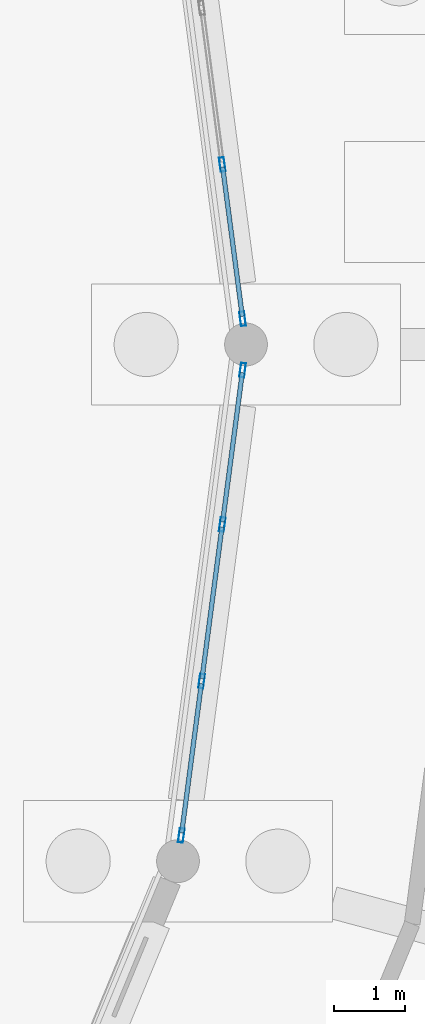
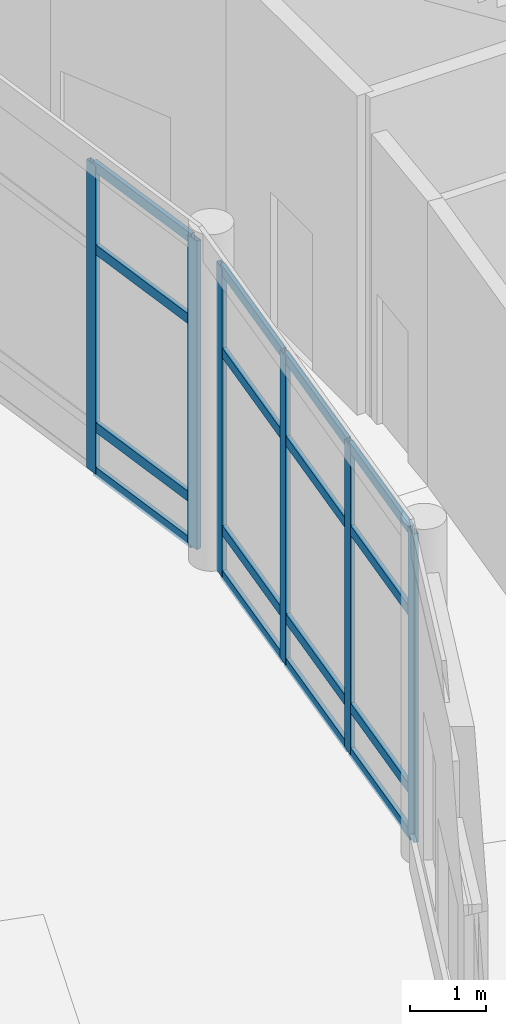
# One storey, part 74 of 137: 22 members, 2 elements without a shape of their own.
"""IFC4 building model written with IfcOpenShell, lengths in metres."""

from ifc_helpers import new_model, si_unit, direction, frame, origin, origin_2d, place, context, subcontext, project, spatial, hollow_rectangle, extrude, material, material_profile, profile_set, type_object, element, aggregate, save


model = new_model("IFC4")

# Units and contexts
model_context = context("Model", 3, precision=1e-05, world=origin(), true_north=direction((0.0, 1.0)))
body_context = subcontext(model_context, "Body", "Model", "MODEL_VIEW")
ifc_project = project(units=[si_unit("LENGTHUNIT", "METRE"), si_unit("AREAUNIT", "SQUARE_METRE"), si_unit("VOLUMEUNIT", "CUBIC_METRE"), si_unit("PLANEANGLEUNIT", "RADIAN"), si_unit("MASSUNIT", "GRAM", prefix="KILO")], contexts=[model_context])

# Site, building, storey
site_placement = place(None, origin())
site = spatial("IfcSite", under=ifc_project, at=site_placement, CompositionType="ELEMENT")
building_placement = place(site_placement, origin())
building = spatial("IfcBuilding", under=site, at=building_placement, Name="Vondelvale Polytechnic", CompositionType="ELEMENT")
storey_placement = place(building_placement, origin())
storey = spatial("IfcBuildingStorey", under=building, at=storey_placement, Name="L00", CompositionType="ELEMENT", Elevation=0.0)

# Curtain wall, members
ifc_material = material(Name="Anodised extruded aluminium 6063-T6", Category="aluminium")
curtain_wall_type = type_object("IfcCurtainWallType", Name="CW-RING-CLOISTER", PredefinedType="NOTDEFINED", material=ifc_material)
curtain_wall_1_placement = place(storey_placement, origin())
curtain_wall_1 = element("IfcCurtainWall", 1, at=curtain_wall_1_placement, inside=storey, type_object=curtain_wall_type, Name="L00 architectural curtain wall CW-03-071", PredefinedType="NOTDEFINED")
ifc_material_profile_1 = material_profile(ifc_material, hollow_rectangle(XDim=0.070068359375, YDim=0.199951171875, WallThickness=0.00390625, at=origin_2d()), Name="CW-MUL-200x70")
ifc_profile_set_1 = profile_set([ifc_material_profile_1], Name="Anodised extruded aluminium 6063-T6")
member_type_1 = type_object("IfcMemberType", Name="CW-MUL-70x200", PredefinedType="MULLION", material=ifc_profile_set_1)
member_1_placement = place(storey_placement, frame((129.95263671875, 72.360595703125, 0.0), z_axis=(0.0, 0.0, 1.0), x_axis=(-0.99144462243, -0.130528007165, 0.0)))
member_1 = element("IfcMember", 2, at=member_1_placement, type_object=member_type_1, Name="CW-03-071 mullion 1", PredefinedType="MULLION", context=body_context, shape_type="SweptSolid", body=[
    extrude(hollow_rectangle(XDim=0.070068359375, YDim=0.199951171875, WallThickness=0.00390625, at=origin_2d()), origin(), (0.0, 0.0, 1.0), 4.949951171875),
])
member_2_placement = place(storey_placement, frame((129.667724609375, 74.524169921875, 0.0), z_axis=(0.0, 0.0, 1.0), x_axis=(-0.99144462243, -0.130528007165, 0.0)))
member_2 = element("IfcMember", 3, at=member_2_placement, type_object=member_type_1, Name="CW-03-071 mullion 2", PredefinedType="MULLION", context=body_context, shape_type="SweptSolid", body=[
    extrude(hollow_rectangle(XDim=0.070068359375, YDim=0.199951171875, WallThickness=0.00390625, at=origin_2d()), origin(), (0.0, 0.0, 1.0), 4.949951171875),
])

curtain_wall_2_placement = place(storey_placement, origin())
curtain_wall_2 = element("IfcCurtainWall", 4, at=curtain_wall_2_placement, inside=storey, type_object=curtain_wall_type, Name="L00 architectural curtain wall CW-03-370", PredefinedType="NOTDEFINED")
member_3_placement = place(storey_placement, frame((129.09326171875, 65.113525390625, 0.0), z_axis=(0.0, 0.0, 1.0), x_axis=(-0.99144462243, 0.130528007165, 0.0)))
member_3 = element("IfcMember", 5, at=member_3_placement, type_object=member_type_1, Name="CW-03-370 mullion 1", PredefinedType="MULLION", context=body_context, shape_type="SweptSolid", body=[
    extrude(hollow_rectangle(XDim=0.070068359375, YDim=0.199951171875, WallThickness=0.00390625, at=origin_2d()), origin(), (0.0, 0.0, 1.0), 4.949951171875),
])
member_4_placement = place(storey_placement, frame((129.378173828125, 67.27734375, 0.0), z_axis=(0.0, 0.0, 1.0), x_axis=(-0.99144462243, 0.130528007165, 0.0)))
member_4 = element("IfcMember", 6, at=member_4_placement, type_object=member_type_1, Name="CW-03-370 mullion 2", PredefinedType="MULLION", context=body_context, shape_type="SweptSolid", body=[
    extrude(hollow_rectangle(XDim=0.070068359375, YDim=0.199951171875, WallThickness=0.00390625, at=origin_2d()), origin(), (0.0, 0.0, 1.0), 4.949951171875),
])
member_5_placement = place(storey_placement, frame((129.667724609375, 69.475830078125, 0.0), z_axis=(0.0, 0.0, 1.0), x_axis=(-0.99144462243, 0.130528007165, 0.0)))
member_5 = element("IfcMember", 7, at=member_5_placement, type_object=member_type_1, Name="CW-03-370 mullion 3", PredefinedType="MULLION", context=body_context, shape_type="SweptSolid", body=[
    extrude(hollow_rectangle(XDim=0.070068359375, YDim=0.199951171875, WallThickness=0.00390625, at=origin_2d()), origin(), (0.0, 0.0, 1.0), 4.949951171875),
])
member_6_placement = place(storey_placement, frame((129.95263671875, 71.639404296875, 0.0), z_axis=(0.0, 0.0, 1.0), x_axis=(-0.99144462243, 0.130528007165, 0.0)))
member_6 = element("IfcMember", 8, at=member_6_placement, type_object=member_type_1, Name="CW-03-370 mullion 4", PredefinedType="MULLION", context=body_context, shape_type="SweptSolid", body=[
    extrude(hollow_rectangle(XDim=0.070068359375, YDim=0.199951171875, WallThickness=0.00390625, at=origin_2d()), origin(), (0.0, 0.0, 1.0), 4.949951171875),
])

# Member
ifc_material_profile_2 = material_profile(ifc_material, hollow_rectangle(XDim=0.06494140625, YDim=0.159912109375, WallThickness=0.00341796875, at=origin_2d()), Name="CW-TRN-160x65")
ifc_profile_set_2 = profile_set([ifc_material_profile_2], Name="Anodised extruded aluminium 6063-T6")
member_type_2 = type_object("IfcMemberType", Name="CW-TRN-70x160", PredefinedType="USERDEFINED", material=ifc_profile_set_2)
member_7_placement = place(storey_placement, frame((129.947998046875, 72.395263671875, 0.032470703125), z_axis=(-0.130604000296, 0.99143461464, 0.0), x_axis=(-0.99143461464, -0.130604000296, 0.0)))
member_7 = element("IfcMember", 9, at=member_7_placement, type_object=member_type_2, Name="CW-03-071 transom 1.1", ObjectType="TRANSOM", PredefinedType="USERDEFINED", context=body_context, shape_type="SweptSolid", body=[
    extrude(hollow_rectangle(XDim=0.06494140625, YDim=0.159912109375, WallThickness=0.00341796875, at=origin_2d()), origin(), (0.0, 0.0, 1.0), 2.1123046875),
])

member_8_placement = place(storey_placement, frame((129.947998046875, 72.395263671875, 0.75), z_axis=(-0.130604000296, 0.99143461464, 0.0), x_axis=(-0.99143461464, -0.130604000296, 0.0)))
member_8 = element("IfcMember", 10, at=member_8_placement, type_object=member_type_2, Name="CW-03-071 transom 1.2", ObjectType="TRANSOM", PredefinedType="USERDEFINED", context=body_context, shape_type="SweptSolid", body=[
    extrude(hollow_rectangle(XDim=0.06494140625, YDim=0.159912109375, WallThickness=0.00341796875, at=origin_2d()), origin(), (0.0, 0.0, 1.0), 2.1123046875),
])

member_9_placement = place(storey_placement, frame((129.947998046875, 72.395263671875, 3.60009765625), z_axis=(-0.130604000296, 0.99143461464, 0.0), x_axis=(-0.99143461464, -0.130604000296, 0.0)))
member_9 = element("IfcMember", 11, at=member_9_placement, type_object=member_type_2, Name="CW-03-071 transom 1.3", ObjectType="TRANSOM", PredefinedType="USERDEFINED", context=body_context, shape_type="SweptSolid", body=[
    extrude(hollow_rectangle(XDim=0.06494140625, YDim=0.159912109375, WallThickness=0.00341796875, at=origin_2d()), origin(), (0.0, 0.0, 1.0), 2.1123046875),
])

member_10_placement = place(storey_placement, frame((129.947998046875, 72.395263671875, 4.91748046875), z_axis=(-0.130604000296, 0.99143461464, 0.0), x_axis=(-0.99143461464, -0.130604000296, 0.0)))
member_10 = element("IfcMember", 12, at=member_10_placement, type_object=member_type_2, Name="CW-03-071 transom 1.4", ObjectType="TRANSOM", PredefinedType="USERDEFINED", context=body_context, shape_type="SweptSolid", body=[
    extrude(hollow_rectangle(XDim=0.06494140625, YDim=0.159912109375, WallThickness=0.00341796875, at=origin_2d()), origin(), (0.0, 0.0, 1.0), 2.1123046875),
])

aggregate(curtain_wall_1, [member_1, member_2, member_7, member_8, member_9, member_10])

member_11_placement = place(storey_placement, frame((129.097900390625, 65.148193359375, 0.032470703125), z_axis=(0.130589036243, 0.991436585775, 0.0), x_axis=(-0.991436585775, 0.130589036243, 0.0)))
member_11 = element("IfcMember", 13, at=member_11_placement, type_object=member_type_2, Name="CW-03-370 transom 1.1", ObjectType="TRANSOM", PredefinedType="USERDEFINED", context=body_context, shape_type="SweptSolid", body=[
    extrude(hollow_rectangle(XDim=0.06494140625, YDim=0.159912109375, WallThickness=0.00341796875, at=origin_2d()), origin(), (0.0, 0.0, 1.0), 2.112548828125),
])

member_12_placement = place(storey_placement, frame((129.097900390625, 65.148193359375, 0.75), z_axis=(0.130589036243, 0.991436585775, 0.0), x_axis=(-0.991436585775, 0.130589036243, 0.0)))
member_12 = element("IfcMember", 14, at=member_12_placement, type_object=member_type_2, Name="CW-03-370 transom 1.2", ObjectType="TRANSOM", PredefinedType="USERDEFINED", context=body_context, shape_type="SweptSolid", body=[
    extrude(hollow_rectangle(XDim=0.06494140625, YDim=0.159912109375, WallThickness=0.00341796875, at=origin_2d()), origin(), (0.0, 0.0, 1.0), 2.112548828125),
])

member_13_placement = place(storey_placement, frame((129.097900390625, 65.148193359375, 3.60009765625), z_axis=(0.130589036243, 0.991436585775, 0.0), x_axis=(-0.991436585775, 0.130589036243, 0.0)))
member_13 = element("IfcMember", 15, at=member_13_placement, type_object=member_type_2, Name="CW-03-370 transom 1.3", ObjectType="TRANSOM", PredefinedType="USERDEFINED", context=body_context, shape_type="SweptSolid", body=[
    extrude(hollow_rectangle(XDim=0.06494140625, YDim=0.159912109375, WallThickness=0.00341796875, at=origin_2d()), origin(), (0.0, 0.0, 1.0), 2.112548828125),
])

member_14_placement = place(storey_placement, frame((129.097900390625, 65.148193359375, 4.91748046875), z_axis=(0.130589036243, 0.991436585775, 0.0), x_axis=(-0.991436585775, 0.130589036243, 0.0)))
member_14 = element("IfcMember", 16, at=member_14_placement, type_object=member_type_2, Name="CW-03-370 transom 1.4", ObjectType="TRANSOM", PredefinedType="USERDEFINED", context=body_context, shape_type="SweptSolid", body=[
    extrude(hollow_rectangle(XDim=0.06494140625, YDim=0.159912109375, WallThickness=0.00341796875, at=origin_2d()), origin(), (0.0, 0.0, 1.0), 2.112548828125),
])

member_15_placement = place(storey_placement, frame((129.3828125, 67.31201171875, 0.032470703125), z_axis=(0.1305103875, 0.991446941977, 0.0), x_axis=(-0.991446941977, 0.1305103875, 0.0)))
member_15 = element("IfcMember", 17, at=member_15_placement, type_object=member_type_2, Name="CW-03-370 transom 2.1", ObjectType="TRANSOM", PredefinedType="USERDEFINED", context=body_context, shape_type="SweptSolid", body=[
    extrude(hollow_rectangle(XDim=0.06494140625, YDim=0.159912109375, WallThickness=0.00341796875, at=origin_2d()), origin(), (0.0, 0.0, 1.0), 2.1474609375),
])

member_16_placement = place(storey_placement, frame((129.3828125, 67.31201171875, 0.75), z_axis=(0.1305103875, 0.991446941977, 0.0), x_axis=(-0.991446941977, 0.1305103875, 0.0)))
member_16 = element("IfcMember", 18, at=member_16_placement, type_object=member_type_2, Name="CW-03-370 transom 2.2", ObjectType="TRANSOM", PredefinedType="USERDEFINED", context=body_context, shape_type="SweptSolid", body=[
    extrude(hollow_rectangle(XDim=0.06494140625, YDim=0.159912109375, WallThickness=0.00341796875, at=origin_2d()), origin(), (0.0, 0.0, 1.0), 2.1474609375),
])

member_17_placement = place(storey_placement, frame((129.3828125, 67.31201171875, 3.60009765625), z_axis=(0.1305103875, 0.991446941977, 0.0), x_axis=(-0.991446941977, 0.1305103875, 0.0)))
member_17 = element("IfcMember", 19, at=member_17_placement, type_object=member_type_2, Name="CW-03-370 transom 2.3", ObjectType="TRANSOM", PredefinedType="USERDEFINED", context=body_context, shape_type="SweptSolid", body=[
    extrude(hollow_rectangle(XDim=0.06494140625, YDim=0.159912109375, WallThickness=0.00341796875, at=origin_2d()), origin(), (0.0, 0.0, 1.0), 2.1474609375),
])

member_18_placement = place(storey_placement, frame((129.3828125, 67.31201171875, 4.91748046875), z_axis=(0.1305103875, 0.991446941977, 0.0), x_axis=(-0.991446941977, 0.1305103875, 0.0)))
member_18 = element("IfcMember", 20, at=member_18_placement, type_object=member_type_2, Name="CW-03-370 transom 2.4", ObjectType="TRANSOM", PredefinedType="USERDEFINED", context=body_context, shape_type="SweptSolid", body=[
    extrude(hollow_rectangle(XDim=0.06494140625, YDim=0.159912109375, WallThickness=0.00341796875, at=origin_2d()), origin(), (0.0, 0.0, 1.0), 2.1474609375),
])

member_19_placement = place(storey_placement, frame((129.672119140625, 69.510498046875, 0.032470703125), z_axis=(0.130604000296, 0.99143461464, 0.0), x_axis=(-0.99143461464, 0.130604000296, 0.0)))
member_19 = element("IfcMember", 21, at=member_19_placement, type_object=member_type_2, Name="CW-03-370 transom 3.1", ObjectType="TRANSOM", PredefinedType="USERDEFINED", context=body_context, shape_type="SweptSolid", body=[
    extrude(hollow_rectangle(XDim=0.06494140625, YDim=0.159912109375, WallThickness=0.00341796875, at=origin_2d()), origin(), (0.0, 0.0, 1.0), 2.1123046875),
])

member_20_placement = place(storey_placement, frame((129.672119140625, 69.510498046875, 0.75), z_axis=(0.130604000296, 0.99143461464, 0.0), x_axis=(-0.99143461464, 0.130604000296, 0.0)))
member_20 = element("IfcMember", 22, at=member_20_placement, type_object=member_type_2, Name="CW-03-370 transom 3.2", ObjectType="TRANSOM", PredefinedType="USERDEFINED", context=body_context, shape_type="SweptSolid", body=[
    extrude(hollow_rectangle(XDim=0.06494140625, YDim=0.159912109375, WallThickness=0.00341796875, at=origin_2d()), origin(), (0.0, 0.0, 1.0), 2.1123046875),
])

member_21_placement = place(storey_placement, frame((129.672119140625, 69.510498046875, 3.60009765625), z_axis=(0.130604000296, 0.99143461464, 0.0), x_axis=(-0.99143461464, 0.130604000296, 0.0)))
member_21 = element("IfcMember", 23, at=member_21_placement, type_object=member_type_2, Name="CW-03-370 transom 3.3", ObjectType="TRANSOM", PredefinedType="USERDEFINED", context=body_context, shape_type="SweptSolid", body=[
    extrude(hollow_rectangle(XDim=0.06494140625, YDim=0.159912109375, WallThickness=0.00341796875, at=origin_2d()), origin(), (0.0, 0.0, 1.0), 2.1123046875),
])

member_22_placement = place(storey_placement, frame((129.672119140625, 69.510498046875, 4.91748046875), z_axis=(0.130604000296, 0.99143461464, 0.0), x_axis=(-0.99143461464, 0.130604000296, 0.0)))
member_22 = element("IfcMember", 24, at=member_22_placement, type_object=member_type_2, Name="CW-03-370 transom 3.4", ObjectType="TRANSOM", PredefinedType="USERDEFINED", context=body_context, shape_type="SweptSolid", body=[
    extrude(hollow_rectangle(XDim=0.06494140625, YDim=0.159912109375, WallThickness=0.00341796875, at=origin_2d()), origin(), (0.0, 0.0, 1.0), 2.1123046875),
])

aggregate(curtain_wall_2, [member_3, member_4, member_5, member_6, member_11, member_12, member_13, member_14, member_15, member_16, member_17, member_18, member_19, member_20, member_21, member_22])

save(model, "model.ifc")
